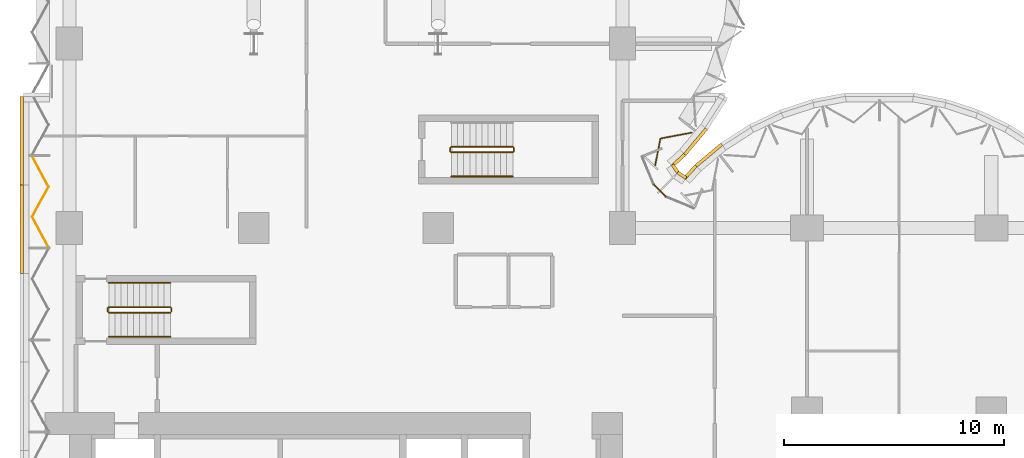
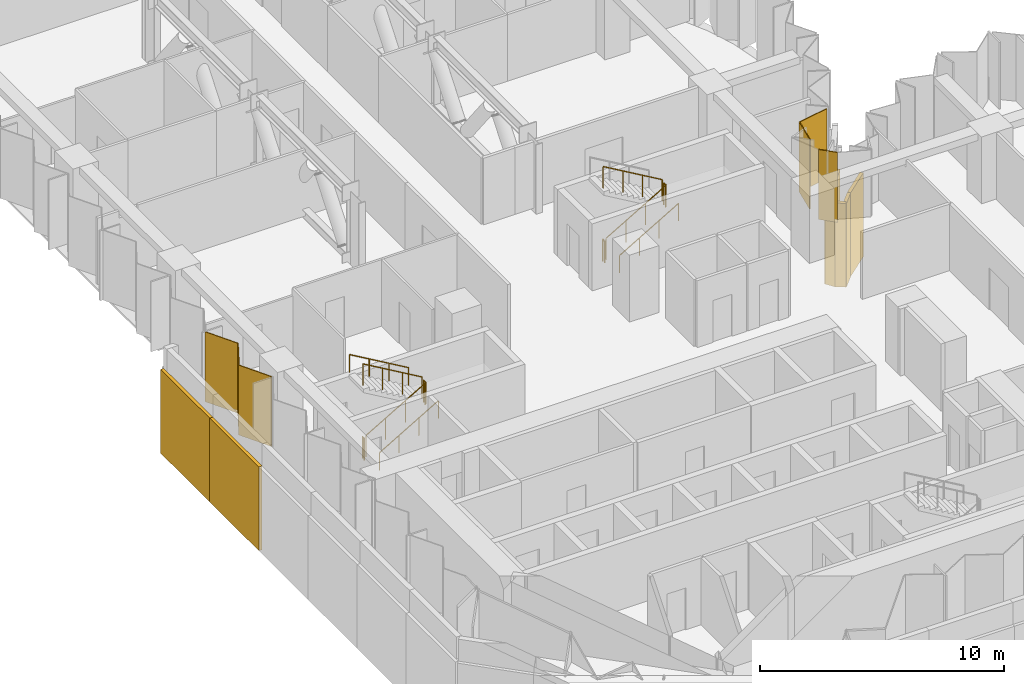
# One storey, part 19 of 24: 11 coverings, 11 railings, 3 elements without a shape of their own.
"""IFC4 building model written with IfcOpenShell, lengths in metres."""

from ifc_helpers import new_model, si_unit, direction, frame, origin, origin_2d, place, context, subcontext, project, spatial, polyline, circle, outline, extrude, material, layer, layer_set, type_object, element, aggregate, save


model = new_model("IFC4")

# Units and contexts
model_context = context("Model", 3, precision=1e-05, world=origin(), true_north=direction((0.0, 1.0)))
body_context = subcontext(model_context, "Body", "Model", "MODEL_VIEW")
ifc_project = project(units=[si_unit("LENGTHUNIT", "METRE"), si_unit("AREAUNIT", "SQUARE_METRE"), si_unit("VOLUMEUNIT", "CUBIC_METRE"), si_unit("PLANEANGLEUNIT", "RADIAN"), si_unit("MASSUNIT", "GRAM", prefix="KILO")], contexts=[model_context])

# Site, building, storey
site_placement = place(None, origin())
site = spatial("IfcSite", under=ifc_project, at=site_placement, CompositionType="ELEMENT")
building_placement = place(site_placement, origin())
building = spatial("IfcBuilding", under=site, at=building_placement, Name="Brevane Broadcast Tower", CompositionType="ELEMENT")
storey_placement = place(building_placement, frame((0.0, 0.0, 36.5)))
storey = spatial("IfcBuildingStorey", under=building, at=storey_placement, Name="L06", CompositionType="ELEMENT", Elevation=36.5)

# Coverings
ifc_material_1 = material(Name="Precast concrete C40/50", Category="concrete")
ifc_layer_1 = layer(ifc_material_1, 0.14990234375)
ifc_layer_set_1 = layer_set([ifc_layer_1], Name="CORNICE FASCIA CLADDING 4200")
covering_type_1 = type_object("IfcCoveringType", Name="CORNICE FASCIA CLADDING 4200", PredefinedType="CLADDING", material=ifc_layer_set_1)
covering_1_placement = place(storey_placement, frame((0.0, 0.0, -4.199951171875)))
element("IfcCovering", 1, at=covering_1_placement, inside=storey, type_object=covering_type_1, Name="Cornice fascia", PredefinedType="CLADDING", context=body_context, shape_type="SweptSolid", body=[
    extrude(outline(polyline([(28.959716796875, 29.769775390625), (27.97900390625, 28.601318359375), (28.09375, 28.5048828125), (29.07470703125, 29.673095703125), (28.959716796875, 29.769775390625)])), origin(), (0.0, 0.0, 1.0), 4.199951171875),
])
covering_2_placement = place(storey_placement, frame((0.0, 0.0, -4.199951171875)))
element("IfcCovering", 2, at=covering_2_placement, inside=storey, type_object=covering_type_1, Name="Cornice fascia", PredefinedType="CLADDING", context=body_context, shape_type="SweptSolid", body=[
    extrude(outline(polyline([(27.97900390625, 28.601318359375), (27.408203125, 28.074462890625), (27.510009765625, 27.964111328125), (28.08056640625, 28.4912109375), (27.97900390625, 28.601318359375)])), origin(), (0.0, 0.0, 1.0), 4.199951171875),
])
covering_3_placement = place(storey_placement, frame((0.0, 0.0, -4.199951171875)))
element("IfcCovering", 3, at=covering_3_placement, inside=storey, type_object=covering_type_1, Name="Cornice fascia", PredefinedType="CLADDING", context=body_context, shape_type="SweptSolid", body=[
    extrude(outline(polyline([(27.4130859375, 28.0498046875), (27.668212890625, 27.668212890625), (27.792724609375, 27.75146484375), (27.537841796875, 28.133056640625), (27.4130859375, 28.0498046875)])), origin(), (0.0, 0.0, 1.0), 4.199951171875),
])
covering_4_placement = place(storey_placement, frame((0.0, 0.0, -4.199951171875)))
element("IfcCovering", 4, at=covering_4_placement, inside=storey, type_object=covering_type_1, Name="Cornice fascia", PredefinedType="CLADDING", context=body_context, shape_type="SweptSolid", body=[
    extrude(outline(polyline([(27.668212890625, 27.668212890625), (28.0498046875, 27.4130859375), (28.133056640625, 27.537841796875), (27.75146484375, 27.792724609375), (27.668212890625, 27.668212890625)])), origin(), (0.0, 0.0, 1.0), 4.199951171875),
])
covering_5_placement = place(storey_placement, frame((0.0, 0.0, -4.199951171875)))
element("IfcCovering", 5, at=covering_5_placement, inside=storey, type_object=covering_type_1, Name="Cornice fascia", PredefinedType="CLADDING", context=body_context, shape_type="SweptSolid", body=[
    extrude(outline(polyline([(28.074462890625, 27.408203125), (28.601318359375, 27.97900390625), (28.4912109375, 28.08056640625), (27.964111328125, 27.510009765625), (28.074462890625, 27.408203125)])), origin(), (0.0, 0.0, 1.0), 4.199951171875),
])
covering_6_placement = place(storey_placement, frame((0.0, 0.0, -4.199951171875)))
element("IfcCovering", 6, at=covering_6_placement, inside=storey, type_object=covering_type_1, Name="Cornice fascia", PredefinedType="CLADDING", context=body_context, shape_type="SweptSolid", body=[
    extrude(outline(polyline([(28.601318359375, 27.97900390625), (29.769775390625, 28.959716796875), (29.673095703125, 29.07470703125), (28.5048828125, 28.09375), (28.601318359375, 27.97900390625)])), origin(), (0.0, 0.0, 1.0), 4.199951171875),
])
covering_7_placement = place(storey_placement, frame((0.0, 0.0, -4.199951171875)))
element("IfcCovering", 7, at=covering_7_placement, inside=storey, type_object=covering_type_1, Name="Cornice fascia", PredefinedType="CLADDING", context=body_context, shape_type="SweptSolid", body=[
    extrude(outline(polyline([(-2.10009765625, 23.13427734375), (-2.10009765625, 27.167236328125), (-2.25, 27.167236328125), (-2.25, 23.13427734375), (-2.10009765625, 23.13427734375)])), origin(), (0.0, 0.0, 1.0), 4.199951171875),
])
covering_8_placement = place(storey_placement, frame((0.0, 0.0, -4.199951171875)))
element("IfcCovering", 8, at=covering_8_placement, inside=storey, type_object=covering_type_1, Name="Cornice fascia", PredefinedType="CLADDING", context=body_context, shape_type="SweptSolid", body=[
    extrude(outline(polyline([(-2.10009765625, 27.167236328125), (-2.10009765625, 31.199951171875), (-2.25, 31.199951171875), (-2.25, 27.167236328125), (-2.10009765625, 27.167236328125)])), origin(), (0.0, 0.0, 1.0), 4.199951171875),
])

# Railings
ifc_material_2 = material(Name="Steel S355", Category="steel")
railing_type_1 = type_object("IfcRailingType", Name="Exit stair guard", PredefinedType="GUARDRAIL", material=ifc_material_2)
railing_1_placement = place(storey_placement, frame((1.800048828125, 21.35009765625, 0.16357421875)))
element("IfcRailing", 9, at=railing_1_placement, inside=storey, type_object=railing_type_1, Name="L06 ST-1 stair guard 1", PredefinedType="GUARDRAIL", context=body_context, shape_type="SweptSolid", body=[
    extrude(circle(Radius=0.02392578125, at=origin_2d()), frame((0.0, 0.0, 1.076171875), z_axis=(0.863360870873, 0.0, 0.504586966384), x_axis=(0.0, 1.0, 0.0)), (0.0, 0.0, 1.0), 3.2431640625),
    extrude(circle(Radius=0.02099609375, at=origin_2d()), origin(), (0.0, 0.0, 1.0), 1.052001953125),
    extrude(circle(Radius=0.02099609375, at=origin_2d()), frame((0.933349609375, 0.0, 0.54541015625)), (0.0, 0.0, 1.0), 1.052001953125),
    extrude(circle(Radius=0.02099609375, at=origin_2d()), frame((1.86669921875, 0.0, 1.091064453125)), (0.0, 0.0, 1.0), 1.052001953125),
    extrude(circle(Radius=0.02099609375, at=origin_2d()), frame((2.800048828125, 0.0, 1.636474609375)), (0.0, 0.0, 1.0), 1.052001953125),
])
railing_2_placement = place(storey_placement, frame((4.64990234375, 21.39990234375, 1.800048828125)))
element("IfcRailing", 10, at=railing_2_placement, inside=storey, type_object=railing_type_1, Name="L06 ST-1 stair guard 2", PredefinedType="GUARDRAIL", context=body_context, shape_type="SweptSolid", body=[
    extrude(circle(Radius=0.02392578125, at=origin_2d()), frame((0.0, 0.0, 1.076171875), z_axis=(0.0, 1.0, 0.0), x_axis=(-1.0, 0.0, 0.0)), (0.0, 0.0, 1.0), 0.150146484375),
    extrude(circle(Radius=0.02099609375, at=origin_2d()), origin(), (0.0, 0.0, 1.0), 1.052001953125),
    extrude(circle(Radius=0.02099609375, at=origin_2d()), frame((0.0, 0.150146484375, 0.0)), (0.0, 0.0, 1.0), 1.052001953125),
])
railing_3_placement = place(storey_placement, frame((4.60009765625, 21.60009765625, 1.963623046875)))
element("IfcRailing", 11, at=railing_3_placement, inside=storey, type_object=railing_type_1, Name="L06 ST-1 stair guard 3", PredefinedType="GUARDRAIL", context=body_context, shape_type="SweptSolid", body=[
    extrude(circle(Radius=0.02392578125, at=origin_2d()), frame((0.0, 0.0, 1.076171875), z_axis=(-0.863360870873, 0.0, 0.504586966384), x_axis=(0.0, -1.0, 0.0)), (0.0, 0.0, 1.0), 3.2431640625),
    extrude(circle(Radius=0.02099609375, at=origin_2d()), origin(), (0.0, 0.0, 1.0), 1.052001953125),
    extrude(circle(Radius=0.02099609375, at=origin_2d()), frame((-0.933349609375, 0.0, 0.54541015625)), (0.0, 0.0, 1.0), 1.052001953125),
    extrude(circle(Radius=0.02099609375, at=origin_2d()), frame((-1.86669921875, 0.0, 1.091064453125)), (0.0, 0.0, 1.0), 1.052001953125),
    extrude(circle(Radius=0.02099609375, at=origin_2d()), frame((-2.800048828125, 0.0, 1.636474609375)), (0.0, 0.0, 1.0), 1.052001953125),
])
railing_4_placement = place(storey_placement, frame((1.75, 21.39990234375, 0.0)))
element("IfcRailing", 12, at=railing_4_placement, inside=storey, type_object=railing_type_1, Name="L06 ST-1 stair guard 4", PredefinedType="GUARDRAIL", context=body_context, shape_type="SweptSolid", body=[
    extrude(circle(Radius=0.02392578125, at=origin_2d()), frame((0.0, 0.0, 1.076171875), z_axis=(0.0, 1.0, 0.0), x_axis=(-1.0, 0.0, 0.0)), (0.0, 0.0, 1.0), 0.150146484375),
    extrude(circle(Radius=0.02099609375, at=origin_2d()), origin(), (0.0, 0.0, 1.0), 1.052001953125),
    extrude(circle(Radius=0.02099609375, at=origin_2d()), frame((0.0, 0.150146484375, 0.0)), (0.0, 0.0, 1.0), 1.052001953125),
])
railing_5_placement = place(storey_placement, frame((17.39990234375, 28.64990234375, 0.16357421875)))
element("IfcRailing", 13, at=railing_5_placement, inside=storey, type_object=railing_type_1, Name="L06 ST-3 stair guard 1", PredefinedType="GUARDRAIL", context=body_context, shape_type="SweptSolid", body=[
    extrude(circle(Radius=0.02392578125, at=origin_2d()), frame((0.0, 0.0, 1.076171875), z_axis=(0.863360870873, 0.0, 0.504586966384), x_axis=(0.0, 1.0, 0.0)), (0.0, 0.0, 1.0), 3.2431640625),
    extrude(circle(Radius=0.02099609375, at=origin_2d()), origin(), (0.0, 0.0, 1.0), 1.052001953125),
    extrude(circle(Radius=0.02099609375, at=origin_2d()), frame((0.933349609375, 0.0, 0.54541015625)), (0.0, 0.0, 1.0), 1.052001953125),
    extrude(circle(Radius=0.02099609375, at=origin_2d()), frame((1.86669921875, 0.0, 1.091064453125)), (0.0, 0.0, 1.0), 1.052001953125),
    extrude(circle(Radius=0.02099609375, at=origin_2d()), frame((2.800048828125, 0.0, 1.636474609375)), (0.0, 0.0, 1.0), 1.052001953125),
])
railing_6_placement = place(storey_placement, frame((20.25, 28.699951171875, 1.800048828125)))
element("IfcRailing", 14, at=railing_6_placement, inside=storey, type_object=railing_type_1, Name="L06 ST-3 stair guard 2", PredefinedType="GUARDRAIL", context=body_context, shape_type="SweptSolid", body=[
    extrude(circle(Radius=0.02392578125, at=origin_2d()), frame((0.0, 0.0, 1.076171875), z_axis=(0.0, 1.0, 0.0), x_axis=(-1.0, 0.0, 0.0)), (0.0, 0.0, 1.0), 0.150146484375),
    extrude(circle(Radius=0.02099609375, at=origin_2d()), origin(), (0.0, 0.0, 1.0), 1.052001953125),
    extrude(circle(Radius=0.02099609375, at=origin_2d()), frame((0.0, 0.150146484375, 0.0)), (0.0, 0.0, 1.0), 1.052001953125),
])
railing_7_placement = place(storey_placement, frame((20.199951171875, 28.89990234375, 1.963623046875)))
element("IfcRailing", 15, at=railing_7_placement, inside=storey, type_object=railing_type_1, Name="L06 ST-3 stair guard 3", PredefinedType="GUARDRAIL", context=body_context, shape_type="SweptSolid", body=[
    extrude(circle(Radius=0.02392578125, at=origin_2d()), frame((0.0, 0.0, 1.076171875), z_axis=(-0.863360870873, 0.0, 0.504586966384), x_axis=(0.0, -1.0, 0.0)), (0.0, 0.0, 1.0), 3.2431640625),
    extrude(circle(Radius=0.02099609375, at=origin_2d()), origin(), (0.0, 0.0, 1.0), 1.052001953125),
    extrude(circle(Radius=0.02099609375, at=origin_2d()), frame((-0.933349609375, 0.0, 0.54541015625)), (0.0, 0.0, 1.0), 1.052001953125),
    extrude(circle(Radius=0.02099609375, at=origin_2d()), frame((-1.86669921875, 0.0, 1.091064453125)), (0.0, 0.0, 1.0), 1.052001953125),
    extrude(circle(Radius=0.02099609375, at=origin_2d()), frame((-2.800048828125, 0.0, 1.636474609375)), (0.0, 0.0, 1.0), 1.052001953125),
])
railing_8_placement = place(storey_placement, frame((17.35009765625, 28.699951171875, 0.0)))
element("IfcRailing", 16, at=railing_8_placement, inside=storey, type_object=railing_type_1, Name="L06 ST-3 stair guard 4", PredefinedType="GUARDRAIL", context=body_context, shape_type="SweptSolid", body=[
    extrude(circle(Radius=0.02392578125, at=origin_2d()), frame((0.0, 0.0, 1.076171875), z_axis=(0.0, 1.0, 0.0), x_axis=(-1.0, 0.0, 0.0)), (0.0, 0.0, 1.0), 0.150146484375),
    extrude(circle(Radius=0.02099609375, at=origin_2d()), origin(), (0.0, 0.0, 1.0), 1.052001953125),
    extrude(circle(Radius=0.02099609375, at=origin_2d()), frame((0.0, 0.150146484375, 0.0)), (0.0, 0.0, 1.0), 1.052001953125),
])
railing_type_2 = type_object("IfcRailingType", Name="Exit stair handrail", PredefinedType="HANDRAIL", material=ifc_material_2)
railing_9_placement = place(storey_placement, frame((1.800048828125, 20.25, 0.16357421875)))
element("IfcRailing", 17, at=railing_9_placement, inside=storey, type_object=railing_type_2, Name="L06 ST-1 stair handrail 1", PredefinedType="HANDRAIL", context=body_context, shape_type="SweptSolid", body=[
    extrude(circle(Radius=0.02392578125, at=origin_2d()), frame((0.0, 0.0, 0.8759765625), z_axis=(0.863360870873, 0.0, 0.504586966384), x_axis=(0.0, 1.0, 0.0)), (0.0, 0.0, 1.0), 3.2431640625),
    extrude(circle(Radius=0.02099609375, at=origin_2d()), origin(), (0.0, 0.0, 1.0), 0.851806640625),
    extrude(circle(Radius=0.02099609375, at=origin_2d()), frame((0.933349609375, 0.0, 0.54541015625)), (0.0, 0.0, 1.0), 0.851806640625),
    extrude(circle(Radius=0.02099609375, at=origin_2d()), frame((1.86669921875, 0.0, 1.091064453125)), (0.0, 0.0, 1.0), 0.851806640625),
    extrude(circle(Radius=0.02099609375, at=origin_2d()), frame((2.800048828125, 0.0, 1.636474609375)), (0.0, 0.0, 1.0), 0.851806640625),
])
railing_10_placement = place(storey_placement, frame((4.60009765625, 22.699951171875, 1.963623046875)))
element("IfcRailing", 18, at=railing_10_placement, inside=storey, type_object=railing_type_2, Name="L06 ST-1 stair handrail 2", PredefinedType="HANDRAIL", context=body_context, shape_type="SweptSolid", body=[
    extrude(circle(Radius=0.02392578125, at=origin_2d()), frame((0.0, 0.0, 0.8759765625), z_axis=(-0.863360870873, 0.0, 0.504586966384), x_axis=(0.0, -1.0, 0.0)), (0.0, 0.0, 1.0), 3.2431640625),
    extrude(circle(Radius=0.02099609375, at=origin_2d()), origin(), (0.0, 0.0, 1.0), 0.851806640625),
    extrude(circle(Radius=0.02099609375, at=origin_2d()), frame((-0.933349609375, 0.0, 0.54541015625)), (0.0, 0.0, 1.0), 0.851806640625),
    extrude(circle(Radius=0.02099609375, at=origin_2d()), frame((-1.86669921875, 0.0, 1.091064453125)), (0.0, 0.0, 1.0), 0.851806640625),
    extrude(circle(Radius=0.02099609375, at=origin_2d()), frame((-2.800048828125, 0.0, 1.636474609375)), (0.0, 0.0, 1.0), 0.851806640625),
])
railing_11_placement = place(storey_placement, frame((17.39990234375, 27.550048828125, 0.16357421875)))
element("IfcRailing", 19, at=railing_11_placement, inside=storey, type_object=railing_type_2, Name="L06 ST-3 stair handrail 1", PredefinedType="HANDRAIL", context=body_context, shape_type="SweptSolid", body=[
    extrude(circle(Radius=0.02392578125, at=origin_2d()), frame((0.0, 0.0, 0.8759765625), z_axis=(0.863360870873, 0.0, 0.504586966384), x_axis=(0.0, 1.0, 0.0)), (0.0, 0.0, 1.0), 3.2431640625),
    extrude(circle(Radius=0.02099609375, at=origin_2d()), origin(), (0.0, 0.0, 1.0), 0.851806640625),
    extrude(circle(Radius=0.02099609375, at=origin_2d()), frame((0.933349609375, 0.0, 0.54541015625)), (0.0, 0.0, 1.0), 0.851806640625),
    extrude(circle(Radius=0.02099609375, at=origin_2d()), frame((1.86669921875, 0.0, 1.091064453125)), (0.0, 0.0, 1.0), 0.851806640625),
    extrude(circle(Radius=0.02099609375, at=origin_2d()), frame((2.800048828125, 0.0, 1.636474609375)), (0.0, 0.0, 1.0), 0.851806640625),
])

# Curtain wall, covering
ifc_material_3 = material(Name="Aluminium 6063-T6 bronze anodised", Category="aluminium")
curtain_wall_type = type_object("IfcCurtainWallType", Name="CW-1 curtain wall", PredefinedType="NOTDEFINED", material=ifc_material_3)
curtain_wall_1_placement = place(storey_placement, origin())
curtain_wall_1 = element("IfcCurtainWall", 20, at=curtain_wall_1_placement, inside=storey, type_object=curtain_wall_type, Name="CW-1 typical tilted unit L06 north bow", PredefinedType="NOTDEFINED")
ifc_material_4 = material(Name="Back-painted bronze glass shadow-box", Category="glass")
ifc_layer_2 = layer(ifc_material_4, 0.0400390625)
ifc_layer_set_2 = layer_set([ifc_layer_2], Name="Shadow-box panel 40")
covering_type_2 = type_object("IfcCoveringType", Name="Shadow-box panel 40", PredefinedType="CLADDING", material=ifc_layer_set_2)
covering_9_placement = place(storey_placement, frame((0.0, 0.0, -0.14990234375)))
covering_9 = element("IfcCovering", 21, at=covering_9_placement, type_object=covering_type_2, Name="Shadow-box panel", PredefinedType="CLADDING", context=body_context, shape_type="SweptSolid", body=[
    extrude(outline(polyline([(26.656005859375, 28.008544921875), (26.690185546875, 27.975341796875), (26.9423828125, 29.2607421875), (28.3857421875, 29.535888671875), (28.34375, 29.568603515625), (26.908203125, 29.294921875), (26.656005859375, 28.008544921875)])), origin(), (0.0, 0.0, 1.0), 3.5),
])
aggregate(curtain_wall_1, [covering_9])

curtain_wall_2_placement = place(storey_placement, origin())
curtain_wall_2 = element("IfcCurtainWall", 22, at=curtain_wall_2_placement, inside=storey, type_object=curtain_wall_type, Name="CW-1 typical tilted unit L06 west face", PredefinedType="NOTDEFINED")
covering_10_placement = place(storey_placement, frame((0.0, 0.0, -0.14990234375)))
covering_10 = element("IfcCovering", 23, at=covering_10_placement, type_object=covering_type_2, Name="Shadow-box panel", PredefinedType="CLADDING", context=body_context, shape_type="SweptSolid", body=[
    extrude(outline(polyline([(-1.671630859375, 28.465087890625), (-1.717041015625, 28.465087890625), (-0.97265625, 27.08837890625), (-1.717041015625, 25.711669921875), (-0.97265625, 24.3349609375), (-0.92724609375, 24.3349609375), (-1.671630859375, 25.711669921875), (-0.92724609375, 27.08837890625), (-1.671630859375, 28.465087890625)])), origin(), (0.0, 0.0, 1.0), 3.5),
])
aggregate(curtain_wall_2, [covering_10])

curtain_wall_3_placement = place(storey_placement, origin())
curtain_wall_3 = element("IfcCurtainWall", 24, at=curtain_wall_3_placement, inside=storey, type_object=curtain_wall_type, Name="CW-1 typical tilted unit L06 inner corner", PredefinedType="NOTDEFINED")
covering_11_placement = place(storey_placement, frame((0.0, 0.0, -0.14990234375)))
covering_11 = element("IfcCovering", 25, at=covering_11_placement, type_object=covering_type_2, Name="Closure panel", PredefinedType="CLADDING", context=body_context, shape_type="SweptSolid", body=[
    extrude(outline(polyline([(27.17138671875, 26.60498046875), (27.2021484375, 26.635498046875), (26.635498046875, 27.2021484375), (26.60498046875, 27.17138671875), (27.17138671875, 26.60498046875)])), origin(), (0.0, 0.0, 1.0), 3.5),
])
aggregate(curtain_wall_3, [covering_11])

save(model, "model.ifc")
